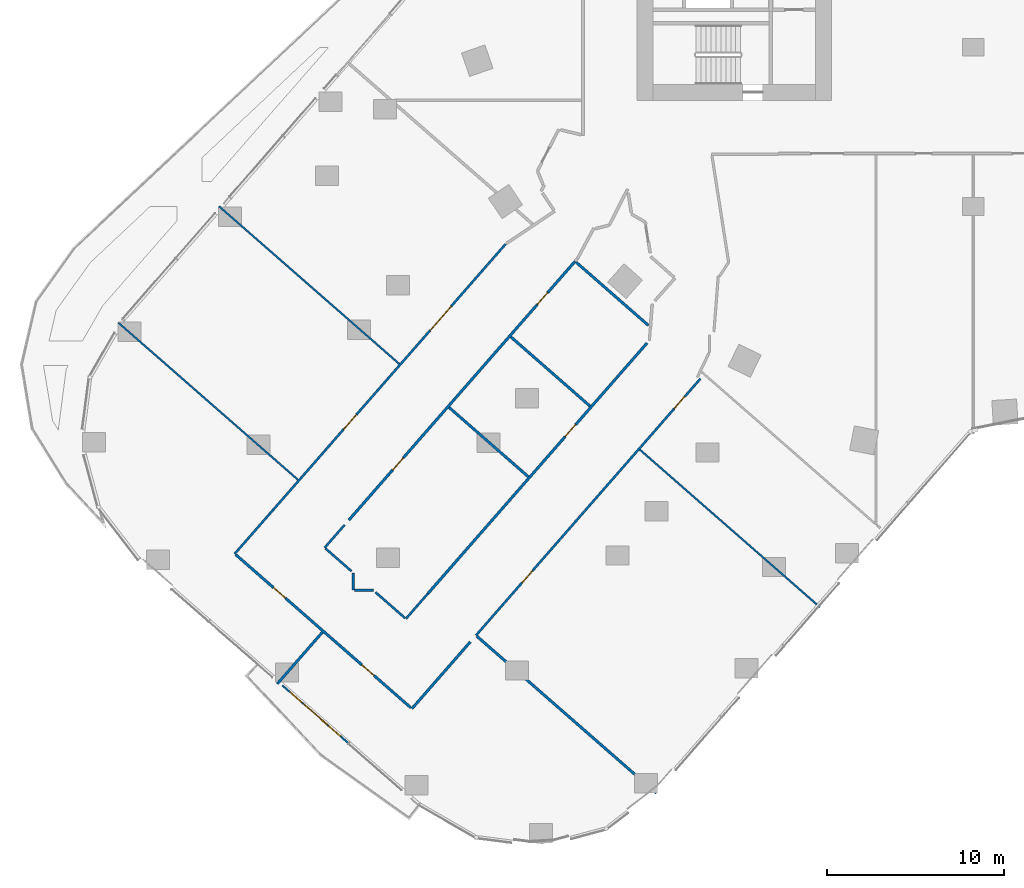
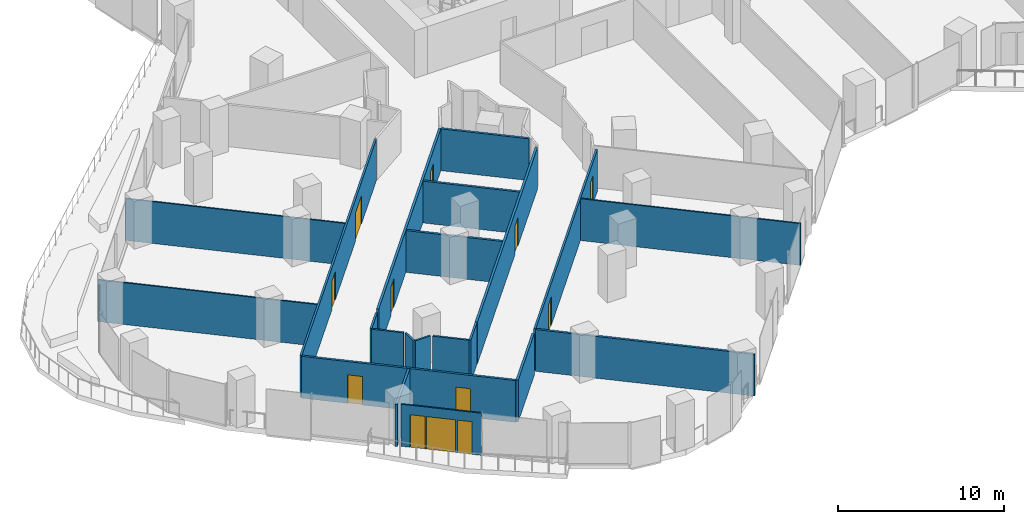
# One storey, part 21 of 32: 21 walls, 10 doors, 2 windows, 12 openings.
"""IFC4 building model written with IfcOpenShell, lengths in metres."""

from ifc_helpers import new_model, si_unit, direction, frame, frame_2d, origin, place, context, subcontext, project, spatial, rectangle, extrude, material, layer, layer_set, type_object, element, fill, save


model = new_model("IFC4")

# Units and contexts
model_context = context("Model", 3, precision=1e-05, world=origin(), true_north=direction((0.0, 1.0)))
body_context = subcontext(model_context, "Body", "Model", "MODEL_VIEW")
ifc_project = project(units=[si_unit("LENGTHUNIT", "METRE"), si_unit("AREAUNIT", "SQUARE_METRE"), si_unit("VOLUMEUNIT", "CUBIC_METRE"), si_unit("PLANEANGLEUNIT", "RADIAN"), si_unit("MASSUNIT", "GRAM", prefix="KILO")], contexts=[model_context])

# Site, building, storey
site_placement = place(None, origin())
site = spatial("IfcSite", under=ifc_project, at=site_placement, CompositionType="ELEMENT")
building_placement = place(site_placement, origin())
building = spatial("IfcBuilding", under=site, at=building_placement, Name="Orlundy Tower", CompositionType="ELEMENT")
storey_placement = place(building_placement, frame((0.0, 0.0, 58.800048828125)))
storey = spatial("IfcBuildingStorey", under=building, at=storey_placement, Name="L13", CompositionType="ELEMENT", Elevation=58.800048828125)

# Walls
ifc_material_1 = material(Name="Gypsum board partition")
ifc_layer_1 = layer(ifc_material_1, 0.10009765625)
ifc_layer_set_1 = layer_set([ifc_layer_1], Name="Floor partition 100")
wall_type_1 = type_object("IfcWallType", Name="Floor partition 100", PredefinedType="PARTITIONING", material=ifc_layer_set_1)
wall_1_placement = place(storey_placement, frame((-48.31298828125, -24.572021484375, 0.0), z_axis=(0.0, 0.0, 1.0), x_axis=(0.752771849231, -0.658281507415, 0.0)))
element("IfcWall", 1, at=wall_1_placement, inside=storey, type_object=wall_type_1, Name="wall-int-L13-012", PredefinedType="PARTITIONING", context=body_context, shape_type="SweptSolid", body=[
    extrude(rectangle(XDim=13.482177734375, YDim=0.10009765625, at=frame_2d((6.7412109375, 0.0))), origin(), (0.0, 0.0, 1.0), 3.079833984375),
])
wall_2_placement = place(storey_placement, frame((-42.6279296875, -17.988037109375, 0.0), z_axis=(0.0, 0.0, 1.0), x_axis=(0.752806813439, -0.658241522269, 0.0)))
element("IfcWall", 2, at=wall_2_placement, inside=storey, type_object=wall_type_1, Name="wall-int-L13-014", PredefinedType="PARTITIONING", context=body_context, shape_type="SweptSolid", body=[
    extrude(rectangle(XDim=13.535888671875, YDim=0.10009765625, at=frame_2d((6.76806640625, 0.0))), origin(), (0.0, 0.0, 1.0), 3.079833984375),
])
wall_3_placement = place(storey_placement, frame((-18.841064453125, -31.7451171875, 0.0), z_axis=(0.0, 0.0, 1.0), x_axis=(0.752778878966, -0.65827346854, 0.0)))
element("IfcWall", 3, at=wall_3_placement, inside=storey, type_object=wall_type_1, Name="wall-int-L13-017", PredefinedType="PARTITIONING", context=body_context, shape_type="SweptSolid", body=[
    extrude(rectangle(XDim=13.536865234375, YDim=0.10009765625, at=frame_2d((6.7685546875, 0.0))), origin(), (0.0, 0.0, 1.0), 3.079833984375),
])
ifc_material_2 = material(Name="Gypsum board partition, double layer")
ifc_layer_2 = layer(ifc_material_2, 0.125)
ifc_layer_set_2 = layer_set([ifc_layer_2], Name="Floor partition 125")
wall_type_2 = type_object("IfcWallType", Name="Floor partition 125", PredefinedType="PARTITIONING", material=ifc_layer_set_2)
wall_4_placement = place(storey_placement, frame((-33.783935546875, -39.802001953125, 0.0), z_axis=(0.0, 0.0, 1.0), x_axis=(0.753039994219, -0.657974746556, 0.0)))
element("IfcWall", 4, at=wall_4_placement, inside=storey, type_object=wall_type_2, Name="wall-int-L13-011", PredefinedType="PARTITIONING", context=body_context, shape_type="SweptSolid", body=[
    extrude(rectangle(XDim=2.21875, YDim=0.125, at=frame_2d((1.109375, 0.0))), origin(), (0.0, 0.0, 1.0), 3.079833984375),
])
wall_5_placement = place(storey_placement, frame((-36.60888671875, -37.330078125, 0.0), z_axis=(0.0, 0.0, 1.0), x_axis=(0.752949220319, -0.658078621155, 0.0)))
element("IfcWall", 5, at=wall_5_placement, inside=storey, type_object=wall_type_2, Name="wall-int-L13-022", PredefinedType="PARTITIONING", context=body_context, shape_type="SweptSolid", body=[
    extrude(rectangle(XDim=1.947998046875, YDim=0.125, at=frame_2d((0.97412109375, 0.0))), origin(), (0.0, 0.0, 1.0), 3.079833984375),
])
wall_6_placement = place(storey_placement, frame((-34.97412109375, -39.68994140625, 0.0), z_axis=(0.0, 0.0, 1.0), x_axis=(1.0, 0.0, 0.0)))
element("IfcWall", 6, at=wall_6_placement, inside=storey, type_object=wall_type_2, Name="wall-int-L13-046", PredefinedType="PARTITIONING", context=body_context, shape_type="SweptSolid", body=[
    extrude(rectangle(XDim=1.065185546875, YDim=0.125, at=frame_2d((0.53271484375, 0.0))), origin(), (0.0, 0.0, 1.0), 3.079833984375),
])

# Wall, openings, doors
wall_7_placement = place(storey_placement, frame((-15.416015625, -27.73291015625, 0.0), z_axis=(0.0, 0.0, 1.0), x_axis=(-0.658232849435, -0.75281439673, 0.0)))
wall_7 = element("IfcWall", 7, at=wall_7_placement, inside=storey, type_object=wall_type_2, Name="wall-int-L13-067", PredefinedType="PARTITIONING", context=body_context, shape_type="SweptSolid", body=[
    extrude(rectangle(XDim=19.2744140625, YDim=0.125, at=frame_2d((9.63720703125, 0.0))), origin(), (0.0, 0.0, 1.0), 3.079833984375),
])
opening_1_placement = place(wall_7_placement, frame((1.350830078125, 0.0, 0.0)))
opening_1 = element("IfcOpeningElement", 8, at=opening_1_placement, cuts=wall_7, Name="Opening 12110", PredefinedType="OPENING", context=body_context, shape_type="SweptSolid", body=[
    extrude(rectangle(XDim=0.89990234375, YDim=2.10009765625, at=frame_2d((0.449951171875, 1.050048828125))), frame((0.0, 0.072509765625, 0.0), z_axis=(0.0, -1.0, 0.0), x_axis=(1.0, 0.0, 0.0)), (0.0, 0.0, 1.0), 0.14501953125),
])
opening_2_placement = place(wall_7_placement, frame((14.42529296875, 0.0, 0.0)))
opening_2 = element("IfcOpeningElement", 9, at=opening_2_placement, cuts=wall_7, Name="Opening 12111", PredefinedType="OPENING", context=body_context, shape_type="SweptSolid", body=[
    extrude(rectangle(XDim=0.89990234375, YDim=2.10009765625, at=frame_2d((0.449951171875, 1.050048828125))), frame((0.0, 0.072509765625, 0.0), z_axis=(0.0, -1.0, 0.0), x_axis=(1.0, 0.0, 0.0)), (0.0, 0.0, 1.0), 0.14501953125),
])
ifc_material_3 = material(Name="Timber door leaf", Category="wood")
door_type_1 = type_object("IfcDoorType", Name="Floor door single 900 FD30S", OperationType="NOTDEFINED", PredefinedType="DOOR", material=ifc_material_3)
door_1_placement = place(opening_1_placement, origin())
door_1 = element("IfcDoor", 10, at=door_1_placement, inside=storey, type_object=door_type_1, Name="Door 12110", OperationType="SINGLE_SWING_LEFT", OverallHeight=2.10009765625, OverallWidth=0.89990234375, PredefinedType="DOOR", context=body_context, shape_type="SweptSolid", body=[
    extrude(rectangle(XDim=0.89990234375, YDim=2.10009765625, at=frame_2d((0.449951171875, 1.050048828125))), frame((0.0, 0.02490234375, 0.0), z_axis=(0.0, -1.0, 0.0), x_axis=(1.0, 0.0, 0.0)), (0.0, 0.0, 1.0), 0.050048828125),
])
fill(opening_1, door_1)
door_2_placement = place(opening_2_placement, origin())
door_2 = element("IfcDoor", 11, at=door_2_placement, inside=storey, type_object=door_type_1, Name="Door 12111", OperationType="SINGLE_SWING_RIGHT", OverallHeight=2.10009765625, OverallWidth=0.89990234375, PredefinedType="DOOR", context=body_context, shape_type="SweptSolid", body=[
    extrude(rectangle(XDim=0.89990234375, YDim=2.10009765625, at=frame_2d((0.449951171875, 1.050048828125))), frame((0.0, 0.02490234375, 0.0), z_axis=(0.0, -1.0, 0.0), x_axis=(1.0, 0.0, 0.0)), (0.0, 0.0, 1.0), 0.050048828125),
])
fill(opening_2, door_2)

# Wall
wall_8_placement = place(storey_placement, frame((-36.656005859375, -37.287109375, 0.0), z_axis=(0.0, 0.0, 1.0), x_axis=(0.658987828895, 0.752153602244, 0.0)))
element("IfcWall", 12, at=wall_8_placement, inside=storey, type_object=wall_type_2, Name="wall-int-L13-070", PredefinedType="PARTITIONING", context=body_context, shape_type="SweptSolid", body=[
    extrude(rectangle(XDim=1.71630859375, YDim=0.125, at=frame_2d((0.858154296875, 0.0))), origin(), (0.0, 0.0, 1.0), 3.079833984375),
])

# Wall, openings, doors
wall_9_placement = place(storey_placement, frame((-41.737060546875, -37.6279296875, 0.0), z_axis=(0.0, 0.0, 1.0), x_axis=(0.658317287272, 0.752740559076, 0.0)))
wall_9 = element("IfcWall", 13, at=wall_9_placement, inside=storey, type_object=wall_type_2, Name="wall-int-L13-073", PredefinedType="PARTITIONING", context=body_context, shape_type="SweptSolid", body=[
    extrude(rectangle(XDim=23.2548828125, YDim=0.125, at=frame_2d((11.62744140625, 0.0))), origin(), (0.0, 0.0, 1.0), 3.079833984375),
])
opening_3_placement = place(wall_9_placement, frame((16.77783203125, 0.0, 0.0)))
opening_3 = element("IfcOpeningElement", 14, at=opening_3_placement, cuts=wall_9, Name="Opening 12116", PredefinedType="OPENING", context=body_context, shape_type="SweptSolid", body=[
    extrude(rectangle(XDim=1.800048828125, YDim=2.10009765625, at=frame_2d((0.89990234375, 1.050048828125))), frame((0.0, 0.072509765625, 0.0), z_axis=(0.0, -1.0, 0.0), x_axis=(1.0, 0.0, 0.0)), (0.0, 0.0, 1.0), 0.14501953125),
])
opening_4_placement = place(wall_9_placement, frame((9.349609375, 0.0, 0.0)))
opening_4 = element("IfcOpeningElement", 15, at=opening_4_placement, cuts=wall_9, Name="Opening 12117", PredefinedType="OPENING", context=body_context, shape_type="SweptSolid", body=[
    extrude(rectangle(XDim=1.10009765625, YDim=2.10009765625, at=frame_2d((0.550048828125, 1.050048828125))), frame((0.0, 0.072509765625, 0.0), z_axis=(0.0, -1.0, 0.0), x_axis=(1.0, 0.0, 0.0)), (0.0, 0.0, 1.0), 0.14501953125),
])
ifc_material_4 = material(Name="Timber door leaf", Category="wood")
door_type_2 = type_object("IfcDoorType", Name="Floor door double 1800 FD30S", OperationType="NOTDEFINED", PredefinedType="DOOR", material=ifc_material_4)
door_3_placement = place(opening_3_placement, origin())
door_3 = element("IfcDoor", 16, at=door_3_placement, inside=storey, type_object=door_type_2, Name="Door 12116", OperationType="DOUBLE_DOOR_SINGLE_SWING", OverallHeight=2.10009765625, OverallWidth=1.800048828125, PredefinedType="DOOR", context=body_context, shape_type="SweptSolid", body=[
    extrude(rectangle(XDim=1.800048828125, YDim=2.10009765625, at=frame_2d((0.89990234375, 1.050048828125))), frame((0.0, 0.02490234375, 0.0), z_axis=(0.0, -1.0, 0.0), x_axis=(1.0, 0.0, 0.0)), (0.0, 0.0, 1.0), 0.050048828125),
])
fill(opening_3, door_3)
ifc_material_5 = material(Name="Timber door leaf", Category="wood")
door_type_3 = type_object("IfcDoorType", Name="Floor door xwide 1100 FD30S", OperationType="NOTDEFINED", PredefinedType="DOOR", material=ifc_material_5)
door_4_placement = place(opening_4_placement, origin())
door_4 = element("IfcDoor", 17, at=door_4_placement, inside=storey, type_object=door_type_3, Name="Door 12117", OperationType="SINGLE_SWING_LEFT", OverallHeight=2.10009765625, OverallWidth=1.10009765625, PredefinedType="DOOR", context=body_context, shape_type="SweptSolid", body=[
    extrude(rectangle(XDim=1.10009765625, YDim=2.10009765625, at=frame_2d((0.550048828125, 1.050048828125))), frame((0.0, 0.02490234375, 0.0), z_axis=(0.0, -1.0, 0.0), x_axis=(1.0, 0.0, 0.0)), (0.0, 0.0, 1.0), 0.050048828125),
])
fill(opening_4, door_4)

# Walls
wall_10_placement = place(storey_placement, frame((-32.06396484375, -41.302978515625, 0.0), z_axis=(0.0, 0.0, 1.0), x_axis=(0.65785800939, 0.753141978303, 0.0)))
element("IfcWall", 18, at=wall_10_placement, inside=storey, type_object=wall_type_2, Name="wall-int-L13-074", PredefinedType="PARTITIONING", context=body_context, shape_type="SweptSolid", body=[
    extrude(rectangle(XDim=1.898681640625, YDim=0.125, at=frame_2d((0.94921875, 0.0))), origin(), (0.0, 0.0, 1.0), 3.079833984375),
])
wall_11_placement = place(storey_placement, frame((-35.037109375, -39.68994140625, 0.0), z_axis=(0.0, 0.0, 1.0), x_axis=(0.0, 1.0, 0.0)))
element("IfcWall", 19, at=wall_11_placement, inside=storey, type_object=wall_type_2, Name="wall-int-L13-112", PredefinedType="PARTITIONING", context=body_context, shape_type="SweptSolid", body=[
    extrude(rectangle(XDim=0.98583984375, YDim=0.125, at=frame_2d((0.492919921875, 0.0))), origin(), (0.0, 0.0, 1.0), 3.079833984375),
])

# Wall, openings, doors
ifc_material_6 = material(Name="Blockwork shaft wall", Category="masonry")
ifc_layer_3 = layer(ifc_material_6, 0.14990234375)
ifc_layer_set_3 = layer_set([ifc_layer_3], Name="Floor shaft wall 150")
wall_type_3 = type_object("IfcWallType", Name="Floor shaft wall 150", PredefinedType="PARTITIONING", material=ifc_layer_set_3)
wall_12_placement = place(storey_placement, frame((-31.77587890625, -46.337890625, 0.0), z_axis=(0.0, 0.0, 1.0), x_axis=(-0.752833887156, 0.658210557762, 0.0)))
wall_12 = element("IfcWall", 20, at=wall_12_placement, inside=storey, type_object=wall_type_3, Name="wall-int-L13-010", PredefinedType="PARTITIONING", context=body_context, shape_type="SweptSolid", body=[
    extrude(rectangle(XDim=13.1689453125, YDim=0.14990234375, at=frame_2d((6.58447265625, 0.0))), origin(), (0.0, 0.0, 1.0), 3.079833984375),
])
opening_5_placement = place(wall_12_placement, frame((2.78125, 0.0, 0.0)))
opening_5 = element("IfcOpeningElement", 21, at=opening_5_placement, cuts=wall_12, Name="Opening 12114", PredefinedType="OPENING", context=body_context, shape_type="SweptSolid", body=[
    extrude(rectangle(XDim=0.89990234375, YDim=2.10009765625, at=frame_2d((0.449951171875, 1.050048828125))), frame((0.0, 0.0849609375, 0.0), z_axis=(0.0, -1.0, 0.0), x_axis=(1.0, 0.0, 0.0)), (0.0, 0.0, 1.0), 0.169921875),
])
opening_6_placement = place(wall_12_placement, frame((9.431640625, 0.0, 0.0)))
opening_6 = element("IfcOpeningElement", 22, at=opening_6_placement, cuts=wall_12, Name="Opening 12115", PredefinedType="OPENING", context=body_context, shape_type="SweptSolid", body=[
    extrude(rectangle(XDim=0.89990234375, YDim=2.10009765625, at=frame_2d((0.449951171875, 1.050048828125))), frame((0.0, 0.0849609375, 0.0), z_axis=(0.0, -1.0, 0.0), x_axis=(1.0, 0.0, 0.0)), (0.0, 0.0, 1.0), 0.169921875),
])
ifc_material_7 = material(Name="Timber door leaf", Category="wood")
door_type_4 = type_object("IfcDoorType", Name="Floor door single 900 FD60", OperationType="NOTDEFINED", PredefinedType="DOOR", material=ifc_material_7)
door_5_placement = place(opening_5_placement, origin())
door_5 = element("IfcDoor", 23, at=door_5_placement, inside=storey, type_object=door_type_4, Name="Door 12114", OperationType="SINGLE_SWING_LEFT", OverallHeight=2.10009765625, OverallWidth=0.89990234375, PredefinedType="DOOR", context=body_context, shape_type="SweptSolid", body=[
    extrude(rectangle(XDim=0.89990234375, YDim=2.10009765625, at=frame_2d((0.449951171875, 1.050048828125))), frame((0.0, 0.02490234375, 0.0), z_axis=(0.0, -1.0, 0.0), x_axis=(1.0, 0.0, 0.0)), (0.0, 0.0, 1.0), 0.050048828125),
])
fill(opening_5, door_5)
door_6_placement = place(opening_6_placement, origin())
door_6 = element("IfcDoor", 24, at=door_6_placement, inside=storey, type_object=door_type_4, Name="Door 12115", OperationType="SINGLE_SWING_RIGHT", OverallHeight=2.10009765625, OverallWidth=0.89990234375, PredefinedType="DOOR", context=body_context, shape_type="SweptSolid", body=[
    extrude(rectangle(XDim=0.89990234375, YDim=2.10009765625, at=frame_2d((0.449951171875, 1.050048828125))), frame((0.0, 0.02490234375, 0.0), z_axis=(0.0, -1.0, 0.0), x_axis=(1.0, 0.0, 0.0)), (0.0, 0.0, 1.0), 0.050048828125),
])
fill(opening_6, door_6)

# Walls
wall_13_placement = place(storey_placement, frame((-28.055908203125, -42.285888671875, 0.0), z_axis=(0.0, 0.0, 1.0), x_axis=(0.752776355168, -0.658276354656, 0.0)))
element("IfcWall", 25, at=wall_13_placement, inside=storey, type_object=wall_type_3, Name="wall-int-L13-013", PredefinedType="PARTITIONING", context=body_context, shape_type="SweptSolid", body=[
    extrude(rectangle(XDim=13.480712890625, YDim=0.14990234375, at=frame_2d((6.740234375, 0.0))), origin(), (0.0, 0.0, 1.0), 3.079833984375),
])
for number, where, z_axis, x_axis, name in (
    (26, (-29.623046875, -29.35791015625, 0.0), (0.0, 0.0, 1.0), (0.75275458924, -0.6583012444, 0.0), "wall-int-L13-015"),
    (27, (-26.134033203125, -25.367919921875, 0.0), (0.0, 0.0, 1.0), (0.75275458924, -0.6583012444, 0.0), "wall-int-L13-016"),
):
    element("IfcWall", number, at=place(storey_placement, frame(where, z_axis=z_axis, x_axis=x_axis)), inside=storey, type_object=wall_type_3, Name=name, PredefinedType="PARTITIONING", context=body_context, shape_type="SweptSolid", body=[
        extrude(rectangle(XDim=5.9501953125, YDim=0.14990234375, at=frame_2d((2.97509765625, 0.0))), origin(), (0.0, 0.0, 1.0), 3.079833984375),
    ])
wall_14_placement = place(storey_placement, frame((-22.444091796875, -21.14697265625, 0.0), z_axis=(0.0, 0.0, 1.0), x_axis=(0.75277438398, -0.658278608815, 0.0)))
element("IfcWall", 28, at=wall_14_placement, inside=storey, type_object=wall_type_3, Name="wall-int-L13-019", PredefinedType="PARTITIONING", context=body_context, shape_type="SweptSolid", body=[
    extrude(rectangle(XDim=5.4306640625, YDim=0.14990234375, at=frame_2d((2.71533203125, 0.0))), origin(), (0.0, 0.0, 1.0), 3.079833984375),
])
wall_15_placement = place(storey_placement, frame((-31.72412109375, -46.384033203125, 0.0), z_axis=(0.0, 0.0, 1.0), x_axis=(0.65825296656, 0.752796806592, 0.0)))
element("IfcWall", 29, at=wall_15_placement, inside=storey, type_object=wall_type_3, Name="wall-int-L13-066", PredefinedType="PARTITIONING", context=body_context, shape_type="SweptSolid", body=[
    extrude(rectangle(XDim=5.014892578125, YDim=0.14990234375, at=frame_2d((2.50732421875, 0.0))), origin(), (0.0, 0.0, 1.0), 3.079833984375),
])

# Wall, opening, door
wall_16_placement = place(storey_placement, frame((-30.81494140625, -39.873046875, 0.0), z_axis=(0.0, 0.0, 1.0), x_axis=(0.658330873818, 0.752728676601, 0.0)))
wall_16 = element("IfcWall", 30, at=wall_16_placement, inside=storey, type_object=wall_type_3, Name="wall-int-L13-068", PredefinedType="PARTITIONING", context=body_context, shape_type="SweptSolid", body=[
    extrude(rectangle(XDim=18.804931640625, YDim=0.14990234375, at=frame_2d((9.40234375, 0.0))), origin(), (0.0, 0.0, 1.0), 3.079833984375),
])
opening_7_placement = place(wall_16_placement, frame((11.7783203125, 0.0, 0.0)))
opening_7 = element("IfcOpeningElement", 31, at=opening_7_placement, cuts=wall_16, Name="Opening 12109", PredefinedType="OPENING", context=body_context, shape_type="SweptSolid", body=[
    extrude(rectangle(XDim=0.89990234375, YDim=2.10009765625, at=frame_2d((0.449951171875, 1.050048828125))), frame((0.0, 0.0849609375, 0.0), z_axis=(0.0, -1.0, 0.0), x_axis=(1.0, 0.0, 0.0)), (0.0, 0.0, 1.0), 0.169921875),
])
door_7_placement = place(opening_7_placement, origin())
door_7 = element("IfcDoor", 32, at=door_7_placement, inside=storey, type_object=door_type_4, Name="Door 12109", OperationType="SINGLE_SWING_RIGHT", OverallHeight=2.10009765625, OverallWidth=0.89990234375, PredefinedType="DOOR", context=body_context, shape_type="SweptSolid", body=[
    extrude(rectangle(XDim=0.89990234375, YDim=2.10009765625, at=frame_2d((0.449951171875, 1.050048828125))), frame((0.0, 0.02490234375, 0.0), z_axis=(0.0, -1.0, 0.0), x_axis=(1.0, 0.0, 0.0)), (0.0, 0.0, 1.0), 0.050048828125),
])
fill(opening_7, door_7)

# Wall
wall_17_placement = place(storey_placement, frame((-39.3310546875, -44.97900390625, 0.0), z_axis=(0.0, 0.0, 1.0), x_axis=(0.658308331331, 0.752748391496, 0.0)))
element("IfcWall", 33, at=wall_17_placement, inside=storey, type_object=wall_type_3, Name="wall-int-L13-069", PredefinedType="PARTITIONING", context=body_context, shape_type="SweptSolid", body=[
    extrude(rectangle(XDim=3.875244140625, YDim=0.14990234375, at=frame_2d((1.9375, 0.0))), origin(), (0.0, 0.0, 1.0), 3.079833984375),
])

# Wall, openings, doors
wall_18_placement = place(storey_placement, frame((-22.5009765625, -21.096923828125, 0.0), z_axis=(0.0, 0.0, 1.0), x_axis=(-0.658166451888, -0.752872447104, 0.0)))
wall_18 = element("IfcWall", 34, at=wall_18_placement, inside=storey, type_object=wall_type_3, Name="wall-int-L13-072", PredefinedType="PARTITIONING", context=body_context, shape_type="SweptSolid", body=[
    extrude(rectangle(XDim=19.427001953125, YDim=0.14990234375, at=frame_2d((9.71337890625, 0.0))), origin(), (0.0, 0.0, 1.0), 3.079833984375),
])
opening_8_placement = place(wall_18_placement, frame((2.35009765625, 0.0, 0.0)))
opening_8 = element("IfcOpeningElement", 35, at=opening_8_placement, cuts=wall_18, Name="Opening 12112", PredefinedType="OPENING", context=body_context, shape_type="SweptSolid", body=[
    extrude(rectangle(XDim=0.89990234375, YDim=2.10009765625, at=frame_2d((0.449951171875, 1.050048828125))), frame((0.0, 0.0849609375, 0.0), z_axis=(0.0, -1.0, 0.0), x_axis=(1.0, 0.0, 0.0)), (0.0, 0.0, 1.0), 0.169921875),
])
opening_9_placement = place(wall_18_placement, frame((14.75732421875, 0.0, 0.0)))
opening_9 = element("IfcOpeningElement", 36, at=opening_9_placement, cuts=wall_18, Name="Opening 12113", PredefinedType="OPENING", context=body_context, shape_type="SweptSolid", body=[
    extrude(rectangle(XDim=0.89990234375, YDim=2.10009765625, at=frame_2d((0.449951171875, 1.050048828125))), frame((0.0, 0.0849609375, 0.0), z_axis=(0.0, -1.0, 0.0), x_axis=(1.0, 0.0, 0.0)), (0.0, 0.0, 1.0), 0.169921875),
])
door_8_placement = place(opening_8_placement, origin())
door_8 = element("IfcDoor", 37, at=door_8_placement, inside=storey, type_object=door_type_4, Name="Door 12112", OperationType="SINGLE_SWING_LEFT", OverallHeight=2.10009765625, OverallWidth=0.89990234375, PredefinedType="DOOR", context=body_context, shape_type="SweptSolid", body=[
    extrude(rectangle(XDim=0.89990234375, YDim=2.10009765625, at=frame_2d((0.449951171875, 1.050048828125))), frame((0.0, 0.02490234375, 0.0), z_axis=(0.0, -1.0, 0.0), x_axis=(1.0, 0.0, 0.0)), (0.0, 0.0, 1.0), 0.050048828125),
])
fill(opening_8, door_8)
door_9_placement = place(opening_9_placement, origin())
door_9 = element("IfcDoor", 38, at=door_9_placement, inside=storey, type_object=door_type_4, Name="Door 12113", OperationType="SINGLE_SWING_RIGHT", OverallHeight=2.10009765625, OverallWidth=0.89990234375, PredefinedType="DOOR", context=body_context, shape_type="SweptSolid", body=[
    extrude(rectangle(XDim=0.89990234375, YDim=2.10009765625, at=frame_2d((0.449951171875, 1.050048828125))), frame((0.0, 0.02490234375, 0.0), z_axis=(0.0, -1.0, 0.0), x_axis=(1.0, 0.0, 0.0)), (0.0, 0.0, 1.0), 0.050048828125),
])
fill(opening_9, door_9)

# Wall, openings, windows, door
ifc_material_8 = material(Name="Aluminium bronze and tinted glass", Category="aluminium")
ifc_layer_4 = layer(ifc_material_8, 0.10009765625)
ifc_layer_set_4 = layer_set([ifc_layer_4], Name="Glazed door screen")
wall_type_4 = type_object("IfcWallType", Name="Glazed door screen", PredefinedType="STANDARD", material=ifc_layer_set_4)
wall_19_placement = place(storey_placement, frame((-35.318359375, -48.32861328125, 0.0), z_axis=(0.0, 0.0, 1.0), x_axis=(-0.752811480685, 0.658236184472, 0.0)))
wall_19 = element("IfcWall", 39, at=wall_19_placement, inside=storey, type_object=wall_type_4, Name="Glazed door screen", PredefinedType="STANDARD", context=body_context, shape_type="SweptSolid", body=[
    extrude(rectangle(XDim=4.958984375, YDim=0.10009765625, at=frame_2d((2.4794921875, 0.0))), origin(), (0.0, 0.0, 1.0), 3.099853515625),
])
opening_10_placement = place(wall_19_placement, frame((1.579345703125, 0.0, 0.0)))
opening_10 = element("IfcOpeningElement", 40, at=opening_10_placement, cuts=wall_19, Name="Opening 12941", PredefinedType="OPENING", context=body_context, shape_type="SweptSolid", body=[
    extrude(rectangle(XDim=1.800048828125, YDim=2.39990234375, at=frame_2d((0.89990234375, 1.199951171875))), frame((0.0, 0.06005859375, 0.0), z_axis=(0.0, -1.0, 0.0), x_axis=(1.0, 0.0, 0.0)), (0.0, 0.0, 1.0), 0.1201171875),
])
opening_11_placement = place(wall_19_placement, frame((0.579345703125, 0.0, 0.0)))
opening_11 = element("IfcOpeningElement", 41, at=opening_11_placement, cuts=wall_19, Name="Opening W02", PredefinedType="OPENING", context=body_context, shape_type="SweptSolid", body=[
    extrude(rectangle(XDim=0.89990234375, YDim=2.39990234375, at=frame_2d((0.449951171875, 1.199951171875))), frame((0.0, 0.06005859375, 0.0), z_axis=(0.0, -1.0, 0.0), x_axis=(1.0, 0.0, 0.0)), (0.0, 0.0, 1.0), 0.1201171875),
])
opening_12_placement = place(wall_19_placement, frame((3.4794921875, 0.0, 0.0)))
opening_12 = element("IfcOpeningElement", 42, at=opening_12_placement, cuts=wall_19, Name="Opening W02", PredefinedType="OPENING", context=body_context, shape_type="SweptSolid", body=[
    extrude(rectangle(XDim=0.89990234375, YDim=2.39990234375, at=frame_2d((0.449951171875, 1.199951171875))), frame((0.0, 0.06005859375, 0.0), z_axis=(0.0, -1.0, 0.0), x_axis=(1.0, 0.0, 0.0)), (0.0, 0.0, 1.0), 0.1201171875),
])
ifc_material_9 = material(Name="Tinted glass in bronze aluminium frame", Category="aluminium")
window_type = type_object("IfcWindowType", Name="SL2 sidelight 900x2400", PartitioningType="SINGLE_PANEL", PredefinedType="WINDOW", material=ifc_material_9)
window_1_placement = place(opening_11_placement, origin())
window_1 = element("IfcWindow", 43, at=window_1_placement, inside=storey, type_object=window_type, Name="Window W02 L13", OverallHeight=2.39990234375, OverallWidth=0.89990234375, PartitioningType="SINGLE_PANEL", PredefinedType="WINDOW", context=body_context, shape_type="SweptSolid", body=[
    extrude(rectangle(XDim=0.89990234375, YDim=2.39990234375, at=frame_2d((0.449951171875, 1.199951171875))), frame((0.0, 0.030029296875, 0.0), z_axis=(0.0, -1.0, 0.0), x_axis=(1.0, 0.0, 0.0)), (0.0, 0.0, 1.0), 0.06005859375),
])
fill(opening_11, window_1)
window_2_placement = place(opening_12_placement, origin())
window_2 = element("IfcWindow", 44, at=window_2_placement, inside=storey, type_object=window_type, Name="Window W02 L13", OverallHeight=2.39990234375, OverallWidth=0.89990234375, PartitioningType="SINGLE_PANEL", PredefinedType="WINDOW", context=body_context, shape_type="SweptSolid", body=[
    extrude(rectangle(XDim=0.89990234375, YDim=2.39990234375, at=frame_2d((0.449951171875, 1.199951171875))), frame((0.0, 0.030029296875, 0.0), z_axis=(0.0, -1.0, 0.0), x_axis=(1.0, 0.0, 0.0)), (0.0, 0.0, 1.0), 0.06005859375),
])
fill(opening_12, window_2)
ifc_material_10 = material(Name="Aluminium bronze and tinted glass", Category="aluminium")
door_type_5 = type_object("IfcDoorType", Name="TD3 terrace sliding door 1800x2400", OperationType="DOUBLE_DOOR_SLIDING", PredefinedType="DOOR", material=ifc_material_10)
door_10_placement = place(opening_10_placement, origin())
door_10 = element("IfcDoor", 45, at=door_10_placement, inside=storey, type_object=door_type_5, Name="Door 12941", OperationType="DOUBLE_DOOR_SLIDING", OverallHeight=2.39990234375, OverallWidth=1.800048828125, PredefinedType="DOOR", context=body_context, shape_type="SweptSolid", body=[
    extrude(rectangle(XDim=1.800048828125, YDim=2.39990234375, at=frame_2d((0.89990234375, 1.199951171875))), frame((0.0, 0.02490234375, 0.0), z_axis=(0.0, -1.0, 0.0), x_axis=(1.0, 0.0, 0.0)), (0.0, 0.0, 1.0), 0.050048828125),
])
fill(opening_10, door_10)

save(model, "model.ifc")
